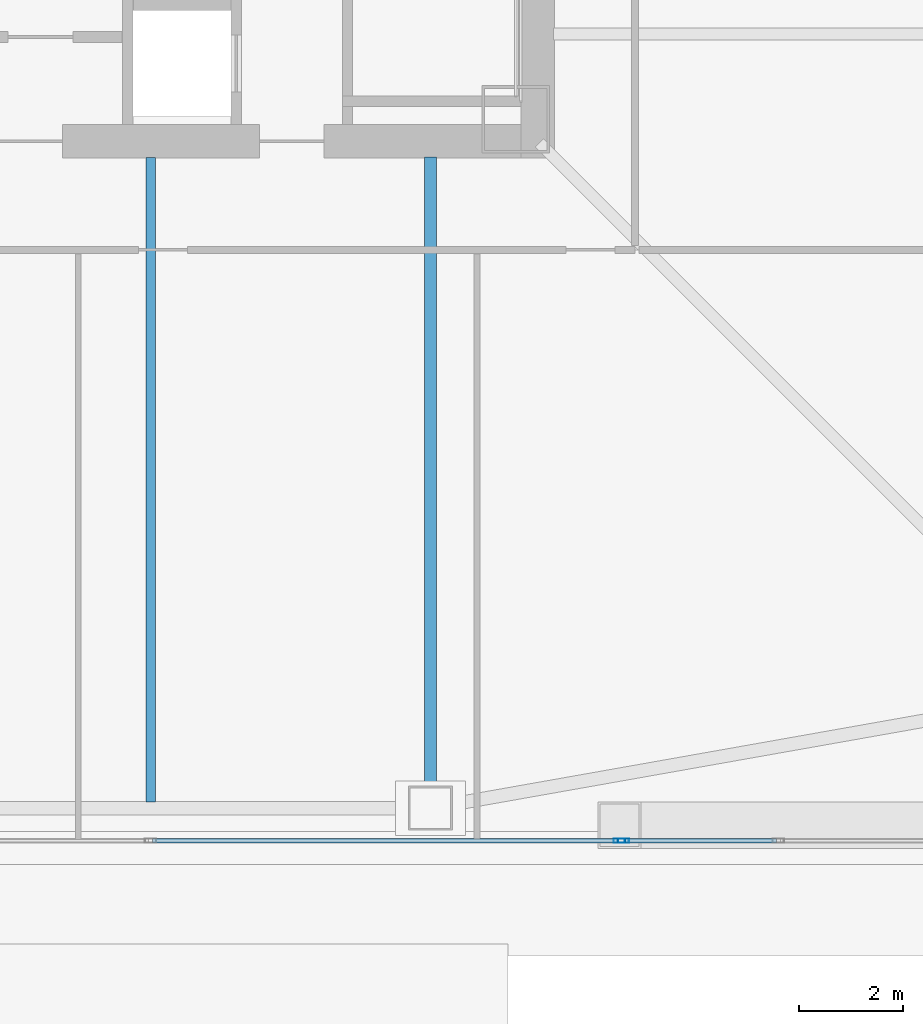
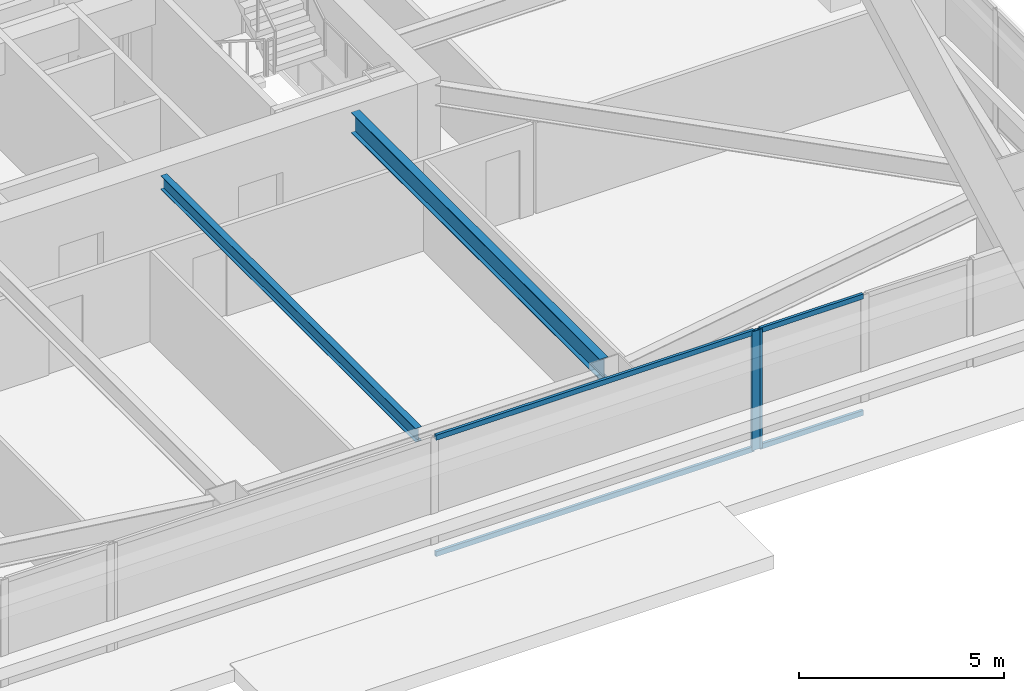
# One storey, part 9 of 67: 6 members, 2 beams, 2 elements without a shape of their own.
"""IFC4 building model written with IfcOpenShell, lengths in metres."""

from ifc_helpers import new_model, si_unit, direction, frame, origin, origin_2d, place, context, subcontext, project, spatial, hollow_rectangle, i_section, extrude, material, material_profile, profile_set, type_object, element, aggregate, save


model = new_model("IFC4")

# Units and contexts
model_context = context("Model", 3, precision=1e-05, world=origin(), true_north=direction((0.0, 1.0)))
body_context = subcontext(model_context, "Body", "Model", "MODEL_VIEW")
ifc_project = project(units=[si_unit("LENGTHUNIT", "METRE"), si_unit("AREAUNIT", "SQUARE_METRE"), si_unit("VOLUMEUNIT", "CUBIC_METRE"), si_unit("PLANEANGLEUNIT", "RADIAN"), si_unit("MASSUNIT", "GRAM", prefix="KILO")], contexts=[model_context])

# Site, building, storey
site_placement = place(None, origin())
site = spatial("IfcSite", under=ifc_project, at=site_placement, CompositionType="ELEMENT")
building_placement = place(site_placement, origin())
building = spatial("IfcBuilding", under=site, at=building_placement, Name="Tashvorn Skyway Center", CompositionType="ELEMENT")
storey_placement = place(building_placement, frame((0.0, 0.0, 67.199951171875)))
storey = spatial("IfcBuildingStorey", under=building, at=storey_placement, Name="L17", CompositionType="ELEMENT", Elevation=67.199951171875)

# Beams
ifc_material_1 = material(Name="Steel ASTM A992 Grade 50", Category="steel")
ifc_material_profile_1 = material_profile(ifc_material_1, i_section(OverallWidth=0.22998046875, OverallDepth=0.616943359375, WebThickness=0.01318359375, FlangeThickness=0.022216796875, at=origin_2d()), Name="W24X94")
ifc_profile_set_1 = profile_set([ifc_material_profile_1], Name="Steel ASTM A992 Grade 50")
beam_type_1 = type_object("IfcBeamType", Name="BM-BEAM-W24X94", PredefinedType="BEAM", material=ifc_profile_set_1)
beam_1_placement = place(storey_placement, frame((47.39990234375, 12.070068359375, 3.04150390625), z_axis=(0.0, 1.0, 0.0), x_axis=(-1.0, 0.0, 0.0)))
element("IfcBeam", 1, at=beam_1_placement, inside=storey, type_object=beam_type_1, Name="Tower 1 L17 Primary Floor Girder FC-S2", PredefinedType="BEAM", context=body_context, shape_type="SweptSolid", body=[
    extrude(i_section(OverallWidth=0.22998046875, OverallDepth=0.616943359375, WebThickness=0.01318359375, FlangeThickness=0.022216796875, at=origin_2d()), origin(), (0.0, 0.0, 1.0), 12.14990234375),
])
ifc_material_profile_2 = material_profile(ifc_material_1, i_section(OverallWidth=0.177978515625, OverallDepth=0.406005859375, WebThickness=0.0078125, FlangeThickness=0.0126953125, at=origin_2d()), Name="W16X40")
ifc_profile_set_2 = profile_set([ifc_material_profile_2], Name="Steel ASTM A992 Grade 50")
beam_type_2 = type_object("IfcBeamType", Name="BM-JOIST-W16X40", PredefinedType="JOIST", material=ifc_profile_set_2)
beam_2_placement = place(storey_placement, frame((42.0, 24.2099609375, 3.14697265625), z_axis=(0.0, -1.0, 0.0), x_axis=(1.0, 0.0, 0.0)))
element("IfcBeam", 2, at=beam_2_placement, inside=storey, type_object=beam_type_2, Name="Tower 1 L17 Secondary Composite Joist JS", PredefinedType="JOIST", context=body_context, shape_type="SweptSolid", body=[
    extrude(i_section(OverallWidth=0.177978515625, OverallDepth=0.406005859375, WebThickness=0.0078125, FlangeThickness=0.0126953125, at=origin_2d()), origin(), (0.0, 0.0, 1.0), 12.43994140625),
])

# Curtain wall, member
ifc_material_2 = material(Name="Thermally broken bronze-anodized aluminium 6063-T6", Category="aluminium")
curtain_wall_type = type_object("IfcCurtainWallType", Name="CW-CW-Z2", PredefinedType="NOTDEFINED", material=ifc_material_2)
curtain_wall_1_placement = place(storey_placement, origin())
curtain_wall_1 = element("IfcCurtainWall", 3, at=curtain_wall_1_placement, inside=storey, type_object=curtain_wall_type, Name="Tower 1 L17 South Unitised Curtain Wall Glazing Group 1", PredefinedType="NOTDEFINED")
ifc_material_profile_3 = material_profile(ifc_material_2, hollow_rectangle(XDim=0.080078125, YDim=0.219970703125, WallThickness=0.0048828125, at=origin_2d()), Name="ALU-MULL-80x220")
ifc_profile_set_3 = profile_set([ifc_material_profile_3], Name="Thermally broken bronze-anodized aluminium 6063-T6")
member_type_1 = type_object("IfcMemberType", Name="CWM-CW-Z2", PredefinedType="MULLION", material=ifc_profile_set_3)
member_1_placement = place(storey_placement, frame((51.1298828125, 11.02001953125, 0.0), z_axis=(0.0, 0.0, 1.0), x_axis=(0.0, -1.0, 0.0)))
member_1 = element("IfcMember", 4, at=member_1_placement, type_object=member_type_1, Name="CW-Z2 mullion 3", PredefinedType="MULLION", context=body_context, shape_type="SweptSolid", body=[
    extrude(hollow_rectangle(XDim=0.080078125, YDim=0.219970703125, WallThickness=0.0048828125, at=origin_2d()), origin(), (0.0, 0.0, 1.0), 3.550048828125),
])

curtain_wall_2_placement = place(storey_placement, origin())
curtain_wall_2 = element("IfcCurtainWall", 5, at=curtain_wall_2_placement, inside=storey, type_object=curtain_wall_type, Name="Tower 1 L17 South Unitised Curtain Wall Glazing Group 2", PredefinedType="NOTDEFINED")
member_2_placement = place(storey_placement, frame((51.050048828125, 11.02001953125, 0.0), z_axis=(0.0, 0.0, 1.0), x_axis=(0.0, -1.0, 0.0)))
member_2 = element("IfcMember", 6, at=member_2_placement, type_object=member_type_1, Name="CW-Z2 mullion 1", PredefinedType="MULLION", context=body_context, shape_type="SweptSolid", body=[
    extrude(hollow_rectangle(XDim=0.080078125, YDim=0.219970703125, WallThickness=0.0048828125, at=origin_2d()), origin(), (0.0, 0.0, 1.0), 3.550048828125),
])

# Member
ifc_material_profile_4 = material_profile(ifc_material_2, hollow_rectangle(XDim=0.080078125, YDim=0.14990234375, WallThickness=0.00439453125, at=origin_2d()), Name="ALU-TRAN-80x150")
ifc_profile_set_4 = profile_set([ifc_material_profile_4], Name="Thermally broken bronze-anodized aluminium 6063-T6")
member_type_2 = type_object("IfcMemberType", Name="CWT-CW-Z2", PredefinedType="USERDEFINED", material=ifc_profile_set_4)
member_3_placement = place(storey_placement, frame((54.080078125, 11.02001953125, 0.0400390625), z_axis=(-1.0, 0.0, 0.0), x_axis=(0.0, -1.0, 0.0)))
member_3 = element("IfcMember", 7, at=member_3_placement, type_object=member_type_2, Name="CW-Z2 transom 2.1", ObjectType="TRANSOM", PredefinedType="USERDEFINED", context=body_context, shape_type="SweptSolid", body=[
    extrude(hollow_rectangle(XDim=0.080078125, YDim=0.14990234375, WallThickness=0.00439453125, at=origin_2d()), origin(), (0.0, 0.0, 1.0), 2.91015625),
])

member_4_placement = place(storey_placement, frame((54.080078125, 11.02001953125, 3.510009765625), z_axis=(-1.0, 0.0, 0.0), x_axis=(0.0, -1.0, 0.0)))
member_4 = element("IfcMember", 8, at=member_4_placement, type_object=member_type_2, Name="CW-Z2 transom 2.2", ObjectType="TRANSOM", PredefinedType="USERDEFINED", context=body_context, shape_type="SweptSolid", body=[
    extrude(hollow_rectangle(XDim=0.080078125, YDim=0.14990234375, WallThickness=0.00439453125, at=origin_2d()), origin(), (0.0, 0.0, 1.0), 2.91015625),
])

aggregate(curtain_wall_1, [member_1, member_3, member_4])

member_5_placement = place(storey_placement, frame((51.010009765625, 11.02001953125, 0.0400390625), z_axis=(-1.0, 0.0, 0.0), x_axis=(0.0, -1.0, 0.0)))
member_5 = element("IfcMember", 9, at=member_5_placement, type_object=member_type_2, Name="CW-Z2 transom 1.1", ObjectType="TRANSOM", PredefinedType="USERDEFINED", context=body_context, shape_type="SweptSolid", body=[
    extrude(hollow_rectangle(XDim=0.080078125, YDim=0.14990234375, WallThickness=0.00439453125, at=origin_2d()), origin(), (0.0, 0.0, 1.0), 8.969970703125),
])

member_6_placement = place(storey_placement, frame((51.010009765625, 11.02001953125, 3.510009765625), z_axis=(-1.0, 0.0, 0.0), x_axis=(0.0, -1.0, 0.0)))
member_6 = element("IfcMember", 10, at=member_6_placement, type_object=member_type_2, Name="CW-Z2 transom 1.2", ObjectType="TRANSOM", PredefinedType="USERDEFINED", context=body_context, shape_type="SweptSolid", body=[
    extrude(hollow_rectangle(XDim=0.080078125, YDim=0.14990234375, WallThickness=0.00439453125, at=origin_2d()), origin(), (0.0, 0.0, 1.0), 8.969970703125),
])

aggregate(curtain_wall_2, [member_2, member_5, member_6])

save(model, "model.ifc")
